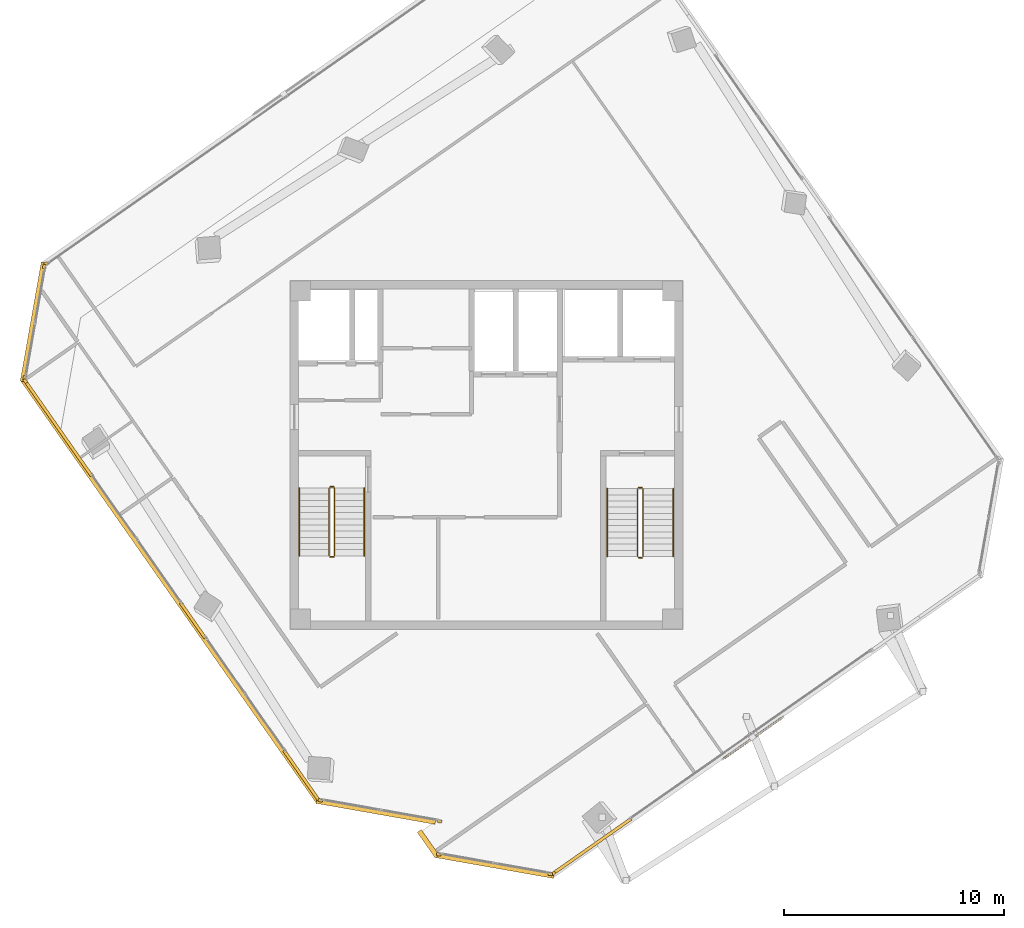
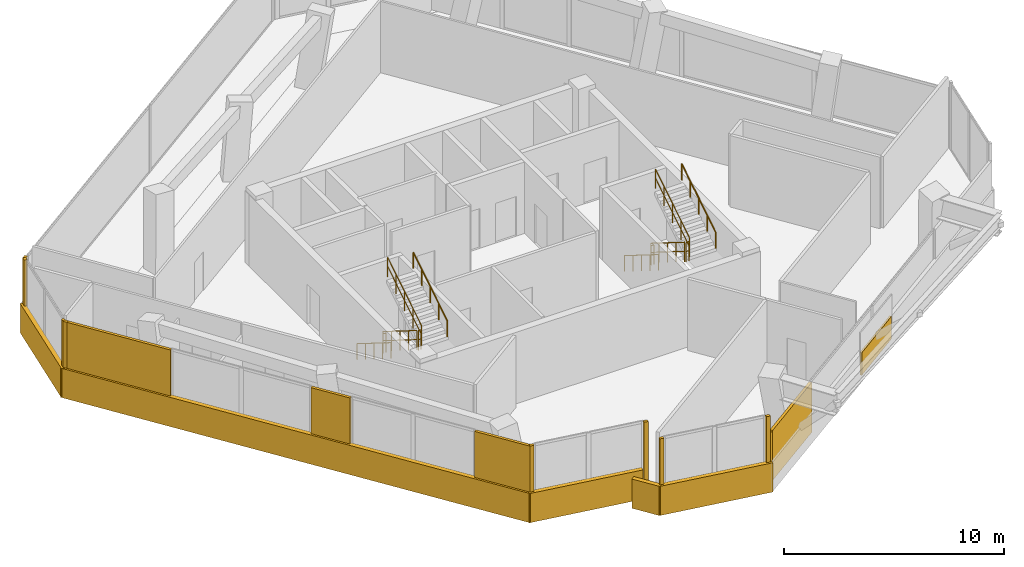
# One storey, part 13 of 15: 18 coverings, 12 railings, 1 shading device.
"""IFC4 building model written with IfcOpenShell, lengths in metres."""

from ifc_helpers import new_model, si_unit, direction, frame, origin, origin_2d, place, context, subcontext, project, spatial, rectangle, circle, extrude, source, transform, mapped, material, layer, layer_set, type_object, element, save


model = new_model("IFC4")

# Units and contexts
model_context = context("Model", 3, precision=1e-05, world=origin(), true_north=direction((0.0, 1.0)))
body_context = subcontext(model_context, "Body", "Model", "MODEL_VIEW")
ifc_project = project(units=[si_unit("LENGTHUNIT", "METRE"), si_unit("AREAUNIT", "SQUARE_METRE"), si_unit("VOLUMEUNIT", "CUBIC_METRE"), si_unit("PLANEANGLEUNIT", "RADIAN"), si_unit("MASSUNIT", "GRAM", prefix="KILO")], contexts=[model_context])

# Site, building, storey
site_placement = place(None, origin())
site = spatial("IfcSite", under=ifc_project, at=site_placement, CompositionType="ELEMENT")
building_placement = place(site_placement, origin())
building = spatial("IfcBuilding", under=site, at=building_placement, Name="Torre Montelarca", CompositionType="ELEMENT")
storey_placement = place(building_placement, frame((0.0, 0.0, 303.0)))
storey = spatial("IfcBuildingStorey", under=building, at=storey_placement, Name="L68", CompositionType="ELEMENT", Elevation=303.0)

# Railings
ifc_material_1 = material(Name="Powder-coated steel ASTM A500 Grade C", Category="steel")
railing_type_1 = type_object("IfcRailingType", Name="RL-GUARD-1100", PredefinedType="BALUSTRADE", material=ifc_material_1)
railing_1_placement = place(storey_placement, frame((10.85009765625, 30.5, 0.175048828125)))
element("IfcRailing", 1, at=railing_1_placement, inside=storey, type_object=railing_type_1, Name="L68 ST1 stair guard 1", PredefinedType="BALUSTRADE", context=body_context, shape_type="SweptSolid", body=[
    extrude(circle(Radius=0.02392578125, at=origin_2d()), frame((0.0, 0.0, 1.076171875), z_axis=(0.0, -0.847998304005, 0.529998940003), x_axis=(1.0, 0.0, 0.0)), (0.0, 0.0, 1.0), 3.632080078125),
    extrude(circle(Radius=0.02099609375, at=origin_2d()), frame((0.0, 0.0, 0.572021484375), z_axis=(0.0, -0.847998304005, 0.529998940003), x_axis=(1.0, 0.0, 0.0)), (0.0, 0.0, 1.0), 3.632080078125),
    extrude(circle(Radius=0.02099609375, at=origin_2d()), origin(), (0.0, 0.0, 1.0), 1.052001953125),
    extrude(circle(Radius=0.02099609375, at=origin_2d()), frame((0.0, -0.77001953125, 0.481201171875)), (0.0, 0.0, 1.0), 1.052001953125),
    extrude(circle(Radius=0.02099609375, at=origin_2d()), frame((0.0, -1.5400390625, 0.96240234375)), (0.0, 0.0, 1.0), 1.052001953125),
    extrude(circle(Radius=0.02099609375, at=origin_2d()), frame((0.0, -2.31005859375, 1.44384765625)), (0.0, 0.0, 1.0), 1.052001953125),
    extrude(circle(Radius=0.02099609375, at=origin_2d()), frame((0.0, -3.080078125, 1.925048828125)), (0.0, 0.0, 1.0), 1.052001953125),
])
railing_2_placement = place(storey_placement, frame((10.89990234375, 27.3701171875, 2.10009765625)))
element("IfcRailing", 2, at=railing_2_placement, inside=storey, type_object=railing_type_1, Name="L68 ST1 stair guard 2", PredefinedType="BALUSTRADE", context=body_context, shape_type="SweptSolid", body=[
    extrude(circle(Radius=0.02392578125, at=origin_2d()), frame((0.0, 0.0, 1.076171875), z_axis=(1.0, 0.0, 0.0), x_axis=(0.0, 1.0, 0.0)), (0.0, 0.0, 1.0), 0.150146484375),
    extrude(circle(Radius=0.02099609375, at=origin_2d()), frame((0.0, 0.0, 0.572021484375), z_axis=(1.0, 0.0, 0.0), x_axis=(0.0, 1.0, 0.0)), (0.0, 0.0, 1.0), 0.150146484375),
    extrude(circle(Radius=0.02099609375, at=origin_2d()), origin(), (0.0, 0.0, 1.0), 1.052001953125),
    extrude(circle(Radius=0.02099609375, at=origin_2d()), frame((0.150146484375, 0.0, 0.0)), (0.0, 0.0, 1.0), 1.052001953125),
])
railing_3_placement = place(storey_placement, frame((11.10009765625, 27.419921875, 2.27490234375)))
element("IfcRailing", 3, at=railing_3_placement, inside=storey, type_object=railing_type_1, Name="L68 ST1 stair guard 3", PredefinedType="BALUSTRADE", context=body_context, shape_type="SweptSolid", body=[
    extrude(circle(Radius=0.02392578125, at=origin_2d()), frame((0.0, 0.0, 1.076171875), z_axis=(0.0, 0.847998304005, 0.529998940003), x_axis=(-1.0, 0.0, 0.0)), (0.0, 0.0, 1.0), 3.632080078125),
    extrude(circle(Radius=0.02099609375, at=origin_2d()), frame((0.0, 0.0, 0.572021484375), z_axis=(0.0, 0.847998304005, 0.529998940003), x_axis=(-1.0, 0.0, 0.0)), (0.0, 0.0, 1.0), 3.632080078125),
    extrude(circle(Radius=0.02099609375, at=origin_2d()), origin(), (0.0, 0.0, 1.0), 1.052001953125),
    extrude(circle(Radius=0.02099609375, at=origin_2d()), frame((0.0, 0.77001953125, 0.481201171875)), (0.0, 0.0, 1.0), 1.052001953125),
    extrude(circle(Radius=0.02099609375, at=origin_2d()), frame((0.0, 1.5400390625, 0.96240234375)), (0.0, 0.0, 1.0), 1.052001953125),
    extrude(circle(Radius=0.02099609375, at=origin_2d()), frame((0.0, 2.31005859375, 1.44384765625)), (0.0, 0.0, 1.0), 1.052001953125),
    extrude(circle(Radius=0.02099609375, at=origin_2d()), frame((0.0, 3.080078125, 1.925048828125)), (0.0, 0.0, 1.0), 1.052001953125),
])
railing_4_placement = place(storey_placement, frame((10.89990234375, 30.550048828125, 0.0)))
element("IfcRailing", 4, at=railing_4_placement, inside=storey, type_object=railing_type_1, Name="L68 ST1 stair guard 4", PredefinedType="BALUSTRADE", context=body_context, shape_type="SweptSolid", body=[
    extrude(circle(Radius=0.02392578125, at=origin_2d()), frame((0.0, 0.0, 1.076171875), z_axis=(1.0, 0.0, 0.0), x_axis=(0.0, 1.0, 0.0)), (0.0, 0.0, 1.0), 0.150146484375),
    extrude(circle(Radius=0.02099609375, at=origin_2d()), frame((0.0, 0.0, 0.572021484375), z_axis=(1.0, 0.0, 0.0), x_axis=(0.0, 1.0, 0.0)), (0.0, 0.0, 1.0), 0.150146484375),
    extrude(circle(Radius=0.02099609375, at=origin_2d()), origin(), (0.0, 0.0, 1.0), 1.052001953125),
    extrude(circle(Radius=0.02099609375, at=origin_2d()), frame((0.150146484375, 0.0, 0.0)), (0.0, 0.0, 1.0), 1.052001953125),
])
railing_5_placement = place(storey_placement, frame((24.8701171875, 30.469970703125, 0.175048828125)))
element("IfcRailing", 5, at=railing_5_placement, inside=storey, type_object=railing_type_1, Name="L68 ST2 stair guard 1", PredefinedType="BALUSTRADE", context=body_context, shape_type="SweptSolid", body=[
    extrude(circle(Radius=0.02392578125, at=origin_2d()), frame((0.0, 0.0, 1.076171875), z_axis=(0.0, -0.847998304005, 0.529998940003), x_axis=(1.0, 0.0, 0.0)), (0.0, 0.0, 1.0), 3.632080078125),
    extrude(circle(Radius=0.02099609375, at=origin_2d()), frame((0.0, 0.0, 0.572021484375), z_axis=(0.0, -0.847998304005, 0.529998940003), x_axis=(1.0, 0.0, 0.0)), (0.0, 0.0, 1.0), 3.632080078125),
    extrude(circle(Radius=0.02099609375, at=origin_2d()), origin(), (0.0, 0.0, 1.0), 1.052001953125),
    extrude(circle(Radius=0.02099609375, at=origin_2d()), frame((0.0, -0.77001953125, 0.481201171875)), (0.0, 0.0, 1.0), 1.052001953125),
    extrude(circle(Radius=0.02099609375, at=origin_2d()), frame((0.0, -1.5400390625, 0.96240234375)), (0.0, 0.0, 1.0), 1.052001953125),
    extrude(circle(Radius=0.02099609375, at=origin_2d()), frame((0.0, -2.31005859375, 1.44384765625)), (0.0, 0.0, 1.0), 1.052001953125),
    extrude(circle(Radius=0.02099609375, at=origin_2d()), frame((0.0, -3.080078125, 1.925048828125)), (0.0, 0.0, 1.0), 1.052001953125),
])
railing_6_placement = place(storey_placement, frame((24.919921875, 27.340087890625, 2.10009765625)))
element("IfcRailing", 6, at=railing_6_placement, inside=storey, type_object=railing_type_1, Name="L68 ST2 stair guard 2", PredefinedType="BALUSTRADE", context=body_context, shape_type="SweptSolid", body=[
    extrude(circle(Radius=0.02392578125, at=origin_2d()), frame((0.0, 0.0, 1.076171875), z_axis=(1.0, 0.0, 0.0), x_axis=(0.0, 1.0, 0.0)), (0.0, 0.0, 1.0), 0.150146484375),
    extrude(circle(Radius=0.02099609375, at=origin_2d()), frame((0.0, 0.0, 0.572021484375), z_axis=(1.0, 0.0, 0.0), x_axis=(0.0, 1.0, 0.0)), (0.0, 0.0, 1.0), 0.150146484375),
    extrude(circle(Radius=0.02099609375, at=origin_2d()), origin(), (0.0, 0.0, 1.0), 1.052001953125),
    extrude(circle(Radius=0.02099609375, at=origin_2d()), frame((0.150146484375, 0.0, 0.0)), (0.0, 0.0, 1.0), 1.052001953125),
])
railing_7_placement = place(storey_placement, frame((25.1201171875, 27.389892578125, 2.27490234375)))
element("IfcRailing", 7, at=railing_7_placement, inside=storey, type_object=railing_type_1, Name="L68 ST2 stair guard 3", PredefinedType="BALUSTRADE", context=body_context, shape_type="SweptSolid", body=[
    extrude(circle(Radius=0.02392578125, at=origin_2d()), frame((0.0, 0.0, 1.076171875), z_axis=(0.0, 0.847998304005, 0.529998940003), x_axis=(-1.0, 0.0, 0.0)), (0.0, 0.0, 1.0), 3.632080078125),
    extrude(circle(Radius=0.02099609375, at=origin_2d()), frame((0.0, 0.0, 0.572021484375), z_axis=(0.0, 0.847998304005, 0.529998940003), x_axis=(-1.0, 0.0, 0.0)), (0.0, 0.0, 1.0), 3.632080078125),
    extrude(circle(Radius=0.02099609375, at=origin_2d()), origin(), (0.0, 0.0, 1.0), 1.052001953125),
    extrude(circle(Radius=0.02099609375, at=origin_2d()), frame((0.0, 0.77001953125, 0.481201171875)), (0.0, 0.0, 1.0), 1.052001953125),
    extrude(circle(Radius=0.02099609375, at=origin_2d()), frame((0.0, 1.5400390625, 0.96240234375)), (0.0, 0.0, 1.0), 1.052001953125),
    extrude(circle(Radius=0.02099609375, at=origin_2d()), frame((0.0, 2.31005859375, 1.44384765625)), (0.0, 0.0, 1.0), 1.052001953125),
    extrude(circle(Radius=0.02099609375, at=origin_2d()), frame((0.0, 3.080078125, 1.925048828125)), (0.0, 0.0, 1.0), 1.052001953125),
])
railing_8_placement = place(storey_placement, frame((24.919921875, 30.52001953125, 0.0)))
element("IfcRailing", 8, at=railing_8_placement, inside=storey, type_object=railing_type_1, Name="L68 ST2 stair guard 4", PredefinedType="BALUSTRADE", context=body_context, shape_type="SweptSolid", body=[
    extrude(circle(Radius=0.02392578125, at=origin_2d()), frame((0.0, 0.0, 1.076171875), z_axis=(1.0, 0.0, 0.0), x_axis=(0.0, 1.0, 0.0)), (0.0, 0.0, 1.0), 0.150146484375),
    extrude(circle(Radius=0.02099609375, at=origin_2d()), frame((0.0, 0.0, 0.572021484375), z_axis=(1.0, 0.0, 0.0), x_axis=(0.0, 1.0, 0.0)), (0.0, 0.0, 1.0), 0.150146484375),
    extrude(circle(Radius=0.02099609375, at=origin_2d()), origin(), (0.0, 0.0, 1.0), 1.052001953125),
    extrude(circle(Radius=0.02099609375, at=origin_2d()), frame((0.150146484375, 0.0, 0.0)), (0.0, 0.0, 1.0), 1.052001953125),
])
ifc_material_2 = material(Name="Brushed stainless steel AISI 316", Category="steel")
railing_type_2 = type_object("IfcRailingType", Name="RL-HANDRAIL-900", PredefinedType="HANDRAIL", material=ifc_material_2)
railing_9_placement = place(storey_placement, frame((9.5, 30.5, 0.175048828125)))
element("IfcRailing", 9, at=railing_9_placement, inside=storey, type_object=railing_type_2, Name="L68 ST1 stair handrail 1", PredefinedType="HANDRAIL", context=body_context, shape_type="SweptSolid", body=[
    extrude(circle(Radius=0.02392578125, at=origin_2d()), frame((0.0, 0.0, 0.8759765625), z_axis=(0.0, -0.847998304005, 0.529998940003), x_axis=(1.0, 0.0, 0.0)), (0.0, 0.0, 1.0), 3.632080078125),
    extrude(circle(Radius=0.02099609375, at=origin_2d()), origin(), (0.0, 0.0, 1.0), 0.851806640625),
    extrude(circle(Radius=0.02099609375, at=origin_2d()), frame((0.0, -0.77001953125, 0.481201171875)), (0.0, 0.0, 1.0), 0.851806640625),
    extrude(circle(Radius=0.02099609375, at=origin_2d()), frame((0.0, -1.5400390625, 0.96240234375)), (0.0, 0.0, 1.0), 0.851806640625),
    extrude(circle(Radius=0.02099609375, at=origin_2d()), frame((0.0, -2.31005859375, 1.44384765625)), (0.0, 0.0, 1.0), 0.851806640625),
    extrude(circle(Radius=0.02099609375, at=origin_2d()), frame((0.0, -3.080078125, 1.925048828125)), (0.0, 0.0, 1.0), 0.851806640625),
])
railing_10_placement = place(storey_placement, frame((12.449951171875, 27.419921875, 2.27490234375)))
element("IfcRailing", 10, at=railing_10_placement, inside=storey, type_object=railing_type_2, Name="L68 ST1 stair handrail 2", PredefinedType="HANDRAIL", context=body_context, shape_type="SweptSolid", body=[
    extrude(circle(Radius=0.02392578125, at=origin_2d()), frame((0.0, 0.0, 0.8759765625), z_axis=(0.0, 0.847998304005, 0.529998940003), x_axis=(-1.0, 0.0, 0.0)), (0.0, 0.0, 1.0), 3.632080078125),
    extrude(circle(Radius=0.02099609375, at=origin_2d()), origin(), (0.0, 0.0, 1.0), 0.851806640625),
    extrude(circle(Radius=0.02099609375, at=origin_2d()), frame((0.0, 0.77001953125, 0.481201171875)), (0.0, 0.0, 1.0), 0.851806640625),
    extrude(circle(Radius=0.02099609375, at=origin_2d()), frame((0.0, 1.5400390625, 0.96240234375)), (0.0, 0.0, 1.0), 0.851806640625),
    extrude(circle(Radius=0.02099609375, at=origin_2d()), frame((0.0, 2.31005859375, 1.44384765625)), (0.0, 0.0, 1.0), 0.851806640625),
    extrude(circle(Radius=0.02099609375, at=origin_2d()), frame((0.0, 3.080078125, 1.925048828125)), (0.0, 0.0, 1.0), 0.851806640625),
])
railing_11_placement = place(storey_placement, frame((23.489990234375, 30.469970703125, 0.175048828125)))
element("IfcRailing", 11, at=railing_11_placement, inside=storey, type_object=railing_type_2, Name="L68 ST2 stair handrail 1", PredefinedType="HANDRAIL", context=body_context, shape_type="SweptSolid", body=[
    extrude(circle(Radius=0.02392578125, at=origin_2d()), frame((0.0, 0.0, 0.8759765625), z_axis=(0.0, -0.847998304005, 0.529998940003), x_axis=(1.0, 0.0, 0.0)), (0.0, 0.0, 1.0), 3.632080078125),
    extrude(circle(Radius=0.02099609375, at=origin_2d()), origin(), (0.0, 0.0, 1.0), 0.851806640625),
    extrude(circle(Radius=0.02099609375, at=origin_2d()), frame((0.0, -0.77001953125, 0.481201171875)), (0.0, 0.0, 1.0), 0.851806640625),
    extrude(circle(Radius=0.02099609375, at=origin_2d()), frame((0.0, -1.5400390625, 0.96240234375)), (0.0, 0.0, 1.0), 0.851806640625),
    extrude(circle(Radius=0.02099609375, at=origin_2d()), frame((0.0, -2.31005859375, 1.44384765625)), (0.0, 0.0, 1.0), 0.851806640625),
    extrude(circle(Radius=0.02099609375, at=origin_2d()), frame((0.0, -3.080078125, 1.925048828125)), (0.0, 0.0, 1.0), 0.851806640625),
])
railing_12_placement = place(storey_placement, frame((26.5, 27.389892578125, 2.27490234375)))
element("IfcRailing", 12, at=railing_12_placement, inside=storey, type_object=railing_type_2, Name="L68 ST2 stair handrail 2", PredefinedType="HANDRAIL", context=body_context, shape_type="SweptSolid", body=[
    extrude(circle(Radius=0.02392578125, at=origin_2d()), frame((0.0, 0.0, 0.8759765625), z_axis=(0.0, 0.847998304005, 0.529998940003), x_axis=(-1.0, 0.0, 0.0)), (0.0, 0.0, 1.0), 3.632080078125),
    extrude(circle(Radius=0.02099609375, at=origin_2d()), origin(), (0.0, 0.0, 1.0), 0.851806640625),
    extrude(circle(Radius=0.02099609375, at=origin_2d()), frame((0.0, 0.77001953125, 0.481201171875)), (0.0, 0.0, 1.0), 0.851806640625),
    extrude(circle(Radius=0.02099609375, at=origin_2d()), frame((0.0, 1.5400390625, 0.96240234375)), (0.0, 0.0, 1.0), 0.851806640625),
    extrude(circle(Radius=0.02099609375, at=origin_2d()), frame((0.0, 2.31005859375, 1.44384765625)), (0.0, 0.0, 1.0), 0.851806640625),
    extrude(circle(Radius=0.02099609375, at=origin_2d()), frame((0.0, 3.080078125, 1.925048828125)), (0.0, 0.0, 1.0), 0.851806640625),
])

# Shading device
ifc_material_3 = material(Name="Architectural perforated terracotta ceramic", Category="masonry")
ifc_layer_1 = layer(ifc_material_3, 0.080078125, Name="Architectural perforated terracotta ceramic", Category="masonry")
ifc_layer_set_1 = layer_set([ifc_layer_1], Name="Architectural perforated terracotta ceramic")
shading_device_type = type_object("IfcShadingDeviceType", Name="SHD-JALOUSIE-1", PredefinedType="JALOUSIE", material=ifc_layer_set_1)
shared_shape_1 = source(origin(), body_context, "Body", "SweptSolid", [
    extrude(rectangle(XDim=3.199951171875, YDim=0.10009765625, at=origin_2d()), origin(), (0.0, 0.0, 1.0), 1.25),
])
shading_device_placement = place(storey_placement, frame((30.11669921875, 19.135986328125, -0.0048828125), z_axis=(0.0, 0.0, 1.0), x_axis=(0.819154046443, 0.573573576968, 0.0)))
element("IfcShadingDevice", 13, at=shading_device_placement, inside=storey, type_object=shading_device_type, Name="L68 Facade Solar Shading Device E6", PredefinedType="JALOUSIE", context=body_context, shape_type="MappedRepresentation", body=[
    mapped(shared_shape_1, transform((0.0, 0.0, 0.0), scale=1.0)),
])

# Coverings
ifc_material_4 = material(Name="Bush-hammered warm white precast concrete C45/55", Category="concrete")
ifc_layer_2 = layer(ifc_material_4, 0.139892578125, Name="Bush-hammered warm white precast concrete C45/55", Category="concrete")
ifc_layer_set_2 = layer_set([ifc_layer_2], Name="Bush-hammered warm white precast concrete C45/55")
covering_type = type_object("IfcCoveringType", Name="COV-TRAY-CLAD", PredefinedType="CLADDING", material=ifc_layer_set_2)
shared_shape_2 = source(origin(), body_context, "Body", "SweptSolid", [
    extrude(rectangle(XDim=0.199951171875, YDim=0.139892578125, at=origin_2d()), origin(), (0.0, 0.0, 1.0), 3.719970703125),
])
for number, where, z_axis, x_axis, name in (
    (14, (-2.9619140625, 35.361328125, 0.0), (0.0, 0.0, 1.0), (0.573572147273, -0.819155047517, 0.0), "L68 Architectural Column Pier Cladding E01-1"),
    (15, (10.449462890625, 16.304931640625, 0.0), (0.0, 0.0, 1.0), (0.984806843779, -0.173653334106, 0.0), "L68 Architectural Column Pier Cladding E02-1"),
    (16, (15.875732421875, 15.34814453125, 0.0), (0.0, 0.0, 1.0), (0.984806843779, -0.173653334106, 0.0), "L68 Architectural Column Pier Cladding E02-2"),
    (17, (15.83203125, 13.847900390625, 0.0), (0.0, 0.0, 1.0), (0.984808056084, -0.173646458853, 0.0), "L68 Architectural Column Pier Cladding E05-1"),
    (18, (20.896240234375, 12.955078125, 0.0), (0.0, 0.0, 1.0), (0.984808056084, -0.173646458853, 0.0), "L68 Architectural Column Pier Cladding E05-2"),
    (19, (-2.022216796875, 40.689697265625, 0.0), (0.0, 0.0, 1.0), (-0.819153045367, -0.57357500666, 0.0), "L68 Architectural Column Pier Cladding E10-2"),
    (20, (-2.100341796875, 40.567138671875, 0.0), (0.0, 0.0, 1.0), (-0.173646458853, -0.984808056084, 0.0), "L68 Architectural Column Pier Cladding E11-1"),
    (21, (-2.9931640625, 35.503173828125, 0.0), (0.0, 0.0, 1.0), (-0.173646458853, -0.984808056084, 0.0), "L68 Architectural Column Pier Cladding E11-2"),
):
    element("IfcCovering", number, at=place(storey_placement, frame(where, z_axis=z_axis, x_axis=x_axis)), inside=storey, type_object=covering_type, Name=name, PredefinedType="CLADDING", context=body_context, shape_type="MappedRepresentation", body=[
        mapped(shared_shape_2, transform((0.0, 0.0, 0.0), scale=1.0)),
    ])
shared_shape_3 = source(origin(), body_context, "Body", "SweptSolid", [
    extrude(rectangle(XDim=0.199951171875, YDim=0.139892578125, at=origin_2d()), origin(), (0.0, 0.0, 1.0), 2.77490234375),
])
covering_1_placement = place(storey_placement, frame((21.037841796875, 12.986572265625, 0.0), z_axis=(0.0, 0.0, 1.0), x_axis=(0.819156048588, 0.573570717577, 0.0)))
element("IfcCovering", 22, at=covering_1_placement, inside=storey, type_object=covering_type, Name="L68 Architectural Column Pier Cladding E06-1", PredefinedType="CLADDING", context=body_context, shape_type="MappedRepresentation", body=[
    mapped(shared_shape_3, transform((0.0, 0.0, 0.0), scale=1.0)),
])
shared_shape_4 = source(origin(), body_context, "Body", "SweptSolid", [
    extrude(rectangle(XDim=1.9599609375, YDim=0.139892578125, at=origin_2d()), origin(), (0.0, 0.0, 1.0), 3.719970703125),
])
covering_2_placement = place(storey_placement, frame((4.65771484375, 24.4794921875, 0.0), z_axis=(0.0, 0.0, 1.0), x_axis=(0.573572147273, -0.819155047517, 0.0)))
element("IfcCovering", 23, at=covering_2_placement, inside=storey, type_object=covering_type, Name="L68 Architectural Column Pier Cladding E01-3", PredefinedType="CLADDING", context=body_context, shape_type="MappedRepresentation", body=[
    mapped(shared_shape_4, transform((0.0, 0.0, 0.0), scale=1.0)),
])
shared_shape_5 = source(origin(), body_context, "Body", "SweptSolid", [
    extrude(rectangle(XDim=23.52001953125, YDim=0.219970703125, at=origin_2d()), origin(), (0.0, 0.0, 1.0), 1.6201171875),
])
covering_3_placement = place(storey_placement, frame((3.63330078125, 25.837646484375, -0.449951171875), z_axis=(0.0, 0.0, 1.0), x_axis=(0.573576436351, -0.819152044289, 0.0)))
element("IfcCovering", 24, at=covering_3_placement, inside=storey, type_object=covering_type, Name="L68 Architectural White Spandrel Tray Band TRYBOT-01", PredefinedType="CLADDING", context=body_context, shape_type="MappedRepresentation", body=[
    mapped(shared_shape_5, transform((0.0, 0.0, 0.0), scale=1.0)),
])
shared_shape_6 = source(origin(), body_context, "Body", "SweptSolid", [
    extrude(rectangle(XDim=5.493896484375, YDim=0.219970703125, at=origin_2d()), origin(), (0.0, 0.0, 1.0), 1.6201171875),
])
for number, where, z_axis, x_axis, name in (
    (25, (12.97119140625, 15.79931640625, -0.449951171875), (0.0, 0.0, 1.0), (0.984806843779, -0.173653334106, 0.0), "L68 Architectural White Spandrel Tray Band TRYBOT-02"),
    (26, (18.353759765625, 13.34228515625, -0.449951171875), (0.0, 0.0, 1.0), (0.984806843779, -0.173653334106, 0.0), "L68 Architectural White Spandrel Tray Band TRYBOT-05"),
    (27, (-2.60595703125, 38.04541015625, -0.449951171875), (0.0, 0.0, 1.0), (-0.173653334106, -0.984806843779, 0.0), "L68 Architectural White Spandrel Tray Band TRYBOT-11"),
):
    element("IfcCovering", number, at=place(storey_placement, frame(where, z_axis=z_axis, x_axis=x_axis)), inside=storey, type_object=covering_type, Name=name, PredefinedType="CLADDING", context=body_context, shape_type="MappedRepresentation", body=[
        mapped(shared_shape_6, transform((0.0, 0.0, 0.0), scale=1.0)),
    ])
shared_shape_7 = source(origin(), body_context, "Body", "SweptSolid", [
    extrude(rectangle(XDim=1.419921875, YDim=0.219970703125, at=origin_2d()), origin(), (0.0, 0.0, 1.0), 1.6201171875),
])
covering_4_placement = place(storey_placement, frame((15.35400390625, 14.3291015625, -0.449951171875), z_axis=(0.0, 0.0, 1.0), x_axis=(0.573602170488, -0.81913402445, 0.0)))
element("IfcCovering", 28, at=covering_4_placement, inside=storey, type_object=covering_type, Name="L68 Architectural White Spandrel Tray Band TRYBOT-04", PredefinedType="CLADDING", context=body_context, shape_type="MappedRepresentation", body=[
    mapped(shared_shape_7, transform((0.0, 0.0, 0.0), scale=1.0)),
])
shared_shape_8 = source(origin(), body_context, "Body", "SweptSolid", [
    extrude(rectangle(XDim=5.26416015625, YDim=0.139892578125, at=origin_2d()), origin(), (0.0, 0.0, 1.0), 3.719970703125),
])
covering_5_placement = place(storey_placement, frame((-1.4521484375, 33.205322265625, 0.0), z_axis=(0.0, 0.0, 1.0), x_axis=(0.573572147273, -0.819155047517, 0.0)))
element("IfcCovering", 29, at=covering_5_placement, inside=storey, type_object=covering_type, Name="L68 Architectural Column Pier Cladding E01-2", PredefinedType="CLADDING", context=body_context, shape_type="MappedRepresentation", body=[
    mapped(shared_shape_8, transform((0.0, 0.0, 0.0), scale=1.0)),
])
shared_shape_9 = source(origin(), body_context, "Body", "SweptSolid", [
    extrude(rectangle(XDim=2.769775390625, YDim=0.139892578125, at=origin_2d()), origin(), (0.0, 0.0, 1.0), 3.719970703125),
])
covering_6_placement = place(storey_placement, frame((9.590087890625, 17.435302734375, 0.0), z_axis=(0.0, 0.0, 1.0), x_axis=(0.573572147273, -0.819155047517, 0.0)))
element("IfcCovering", 30, at=covering_6_placement, inside=storey, type_object=covering_type, Name="L68 Architectural Column Pier Cladding E01-4", PredefinedType="CLADDING", context=body_context, shape_type="MappedRepresentation", body=[
    mapped(shared_shape_9, transform((0.0, 0.0, 0.0), scale=1.0)),
])
shared_shape_10 = source(origin(), body_context, "Body", "SweptSolid", [
    extrude(rectangle(XDim=4.314208984375, YDim=0.139892578125, at=origin_2d()), origin(), (0.0, 0.0, 1.0), 2.77490234375),
])
covering_7_placement = place(storey_placement, frame((22.804931640625, 14.223876953125, 0.0), z_axis=(0.0, 0.0, 1.0), x_axis=(0.819156048588, 0.573570717577, 0.0)))
element("IfcCovering", 31, at=covering_7_placement, inside=storey, type_object=covering_type, Name="L68 Architectural Column Pier Cladding E06-2", PredefinedType="CLADDING", context=body_context, shape_type="MappedRepresentation", body=[
    mapped(shared_shape_10, transform((0.0, 0.0, 0.0), scale=1.0)),
])

save(model, "model.ifc")
